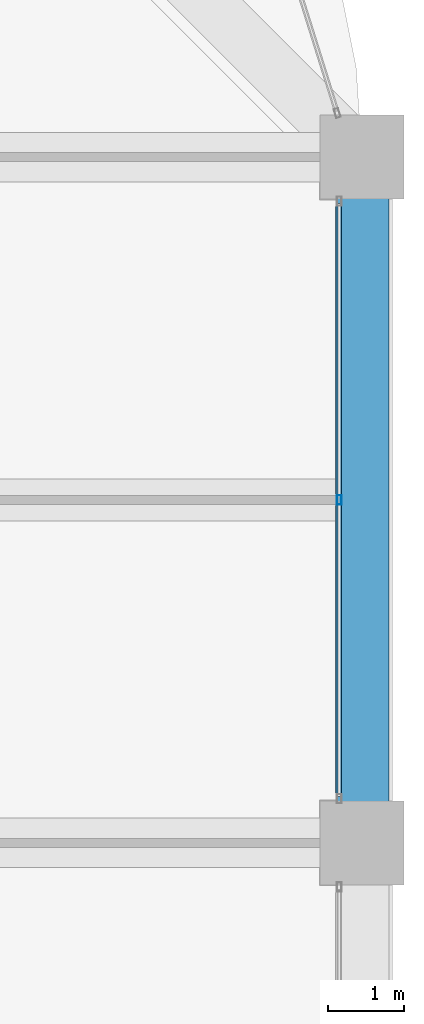
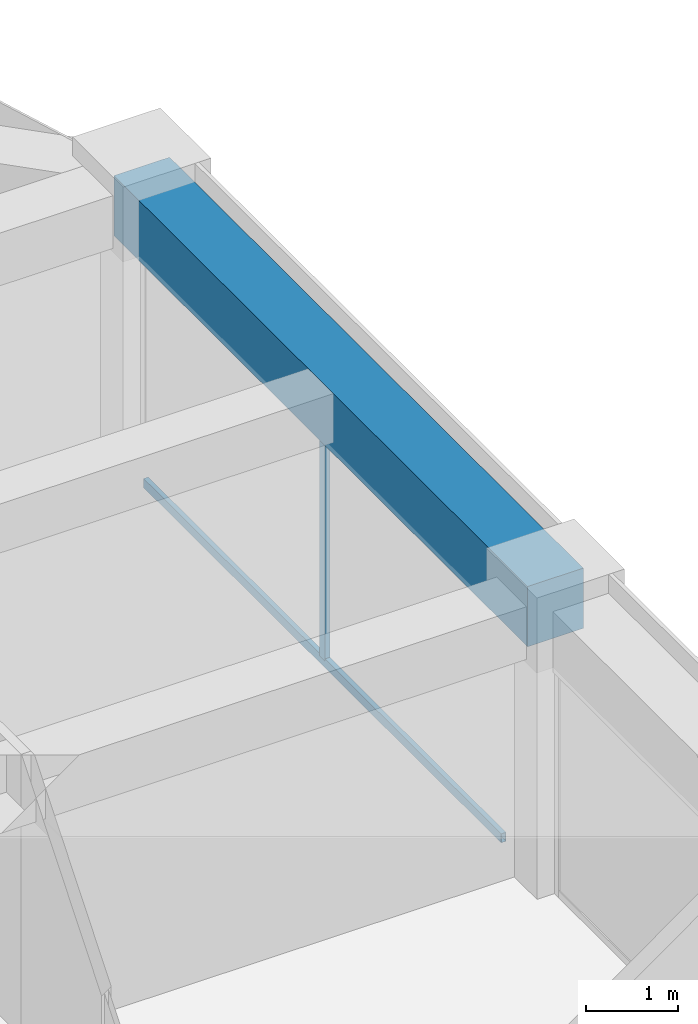
# One storey, part 27 of 44: 2 members, 1 beam, 1 element without a shape of its own.
"""IFC4 building model written with IfcOpenShell, lengths in metres."""

from ifc_helpers import new_model, si_unit, direction, frame, origin, origin_2d, place, context, subcontext, project, spatial, rectangle, hollow_rectangle, extrude, material, material_profile, profile_set, type_object, element, aggregate, save


model = new_model("IFC4")

# Units and contexts
model_context = context("Model", 3, precision=1e-05, world=origin(), true_north=direction((0.0, 1.0)))
body_context = subcontext(model_context, "Body", "Model", "MODEL_VIEW")
ifc_project = project(units=[si_unit("LENGTHUNIT", "METRE"), si_unit("AREAUNIT", "SQUARE_METRE"), si_unit("VOLUMEUNIT", "CUBIC_METRE"), si_unit("PLANEANGLEUNIT", "RADIAN"), si_unit("MASSUNIT", "GRAM", prefix="KILO")], contexts=[model_context])

# Site, building, storey
site_placement = place(None, origin())
site = spatial("IfcSite", under=ifc_project, at=site_placement, CompositionType="ELEMENT")
building_placement = place(site_placement, origin())
building = spatial("IfcBuilding", under=site, at=building_placement, Name="Zorevar Civic Tower", CompositionType="ELEMENT")
storey_placement = place(building_placement, frame((0.0, 0.0, 259.39990234375)))
storey = spatial("IfcBuildingStorey", under=building, at=storey_placement, Name="L63", CompositionType="ELEMENT", Elevation=259.39990234375)

# Curtain wall, members
ifc_material_1 = material(Name="Dark grey solar-control glass in black aluminium frame", Category="aluminium")
curtain_wall_type = type_object("IfcCurtainWallType", Name="Curtain wall CW5 top zone", PredefinedType="NOTDEFINED", material=ifc_material_1)
curtain_wall_placement = place(storey_placement, origin())
curtain_wall = element("IfcCurtainWall", 1, at=curtain_wall_placement, inside=storey, type_object=curtain_wall_type, Name="CW5 L63", PredefinedType="NOTDEFINED")
ifc_material_2 = material(Name="Aluminium, black anodised", Category="aluminium")
ifc_material_profile_1 = material_profile(ifc_material_2, hollow_rectangle(XDim=0.06005859375, YDim=0.1201171875, WallThickness=0.0029296875, at=origin_2d()), Name="AL 120x60x3")
ifc_profile_set_1 = profile_set([ifc_material_profile_1], Name="Aluminium, black anodised")
member_type_1 = type_object("IfcMemberType", Name="CW5 mullion AL 120x60x3", PredefinedType="MULLION", material=ifc_profile_set_1)
member_1_placement = place(storey_placement, frame((53.699951171875, 31.5, 0.06005859375), z_axis=(0.0, 0.0, 1.0), x_axis=(-1.0, 0.0, 0.0)))
member_1 = element("IfcMember", 2, at=member_1_placement, type_object=member_type_1, Name="CW5 mullion 2", PredefinedType="MULLION", context=body_context, shape_type="SweptSolid", body=[
    extrude(hollow_rectangle(XDim=0.06005859375, YDim=0.1201171875, WallThickness=0.0029296875, at=origin_2d()), origin(), (0.0, 0.0, 1.0), 2.89013671875),
])
ifc_material_3 = material(Name="Aluminium, black anodised", Category="aluminium")
ifc_material_profile_2 = material_profile(ifc_material_3, hollow_rectangle(XDim=0.06005859375, YDim=0.1201171875, WallThickness=0.0029296875, at=origin_2d()), Name="AL 120x60x3")
ifc_profile_set_2 = profile_set([ifc_material_profile_2], Name="Aluminium, black anodised")
member_type_2 = type_object("IfcMemberType", Name="CW5 transom AL 120x60x3", PredefinedType="USERDEFINED", material=ifc_profile_set_2)
member_2_placement = place(storey_placement, frame((53.699951171875, 27.610107421875, 0.030029296875), z_axis=(0.0, 1.0, 0.0), x_axis=(-1.0, 0.0, 0.0)))
member_2 = element("IfcMember", 3, at=member_2_placement, type_object=member_type_2, Name="CW5 sill transom", ObjectType="TRANSOM", PredefinedType="USERDEFINED", context=body_context, shape_type="SweptSolid", body=[
    extrude(hollow_rectangle(XDim=0.06005859375, YDim=0.1201171875, WallThickness=0.0029296875, at=origin_2d()), origin(), (0.0, 0.0, 1.0), 7.77978515625),
])
aggregate(curtain_wall, [member_1, member_2])

# Beam
ifc_material_4 = material(Name="Concrete C50/60", Category="concrete")
ifc_material_profile_3 = material_profile(ifc_material_4, rectangle(XDim=0.699951171875, YDim=0.800048828125, at=origin_2d()), Name="RC 700x800")
ifc_profile_set_3 = profile_set([ifc_material_profile_3], Name="Concrete C50/60")
beam_type = type_object("IfcBeamType", Name="Edge beam RC 700x800", PredefinedType="SPANDREL", material=ifc_profile_set_3)
beam_placement = place(storey_placement, frame((54.0, 27.0, 3.35009765625), z_axis=(0.0, 1.0, 0.0), x_axis=(-1.0, 0.0, 0.0)))
element("IfcBeam", 4, at=beam_placement, inside=storey, type_object=beam_type, Name="Edge beam L64", PredefinedType="SPANDREL", context=body_context, shape_type="SweptSolid", body=[
    extrude(rectangle(XDim=0.699951171875, YDim=0.800048828125, at=origin_2d()), origin(), (0.0, 0.0, 1.0), 9.0),
])

save(model, "model.ifc")
